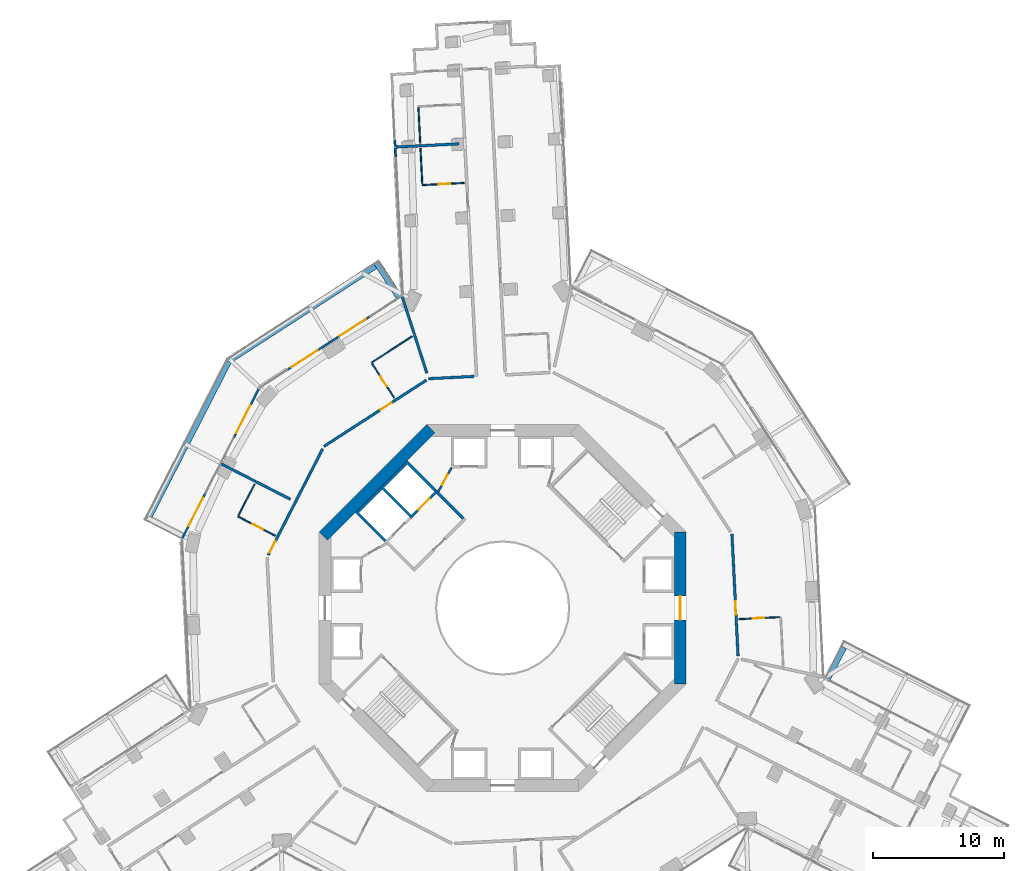
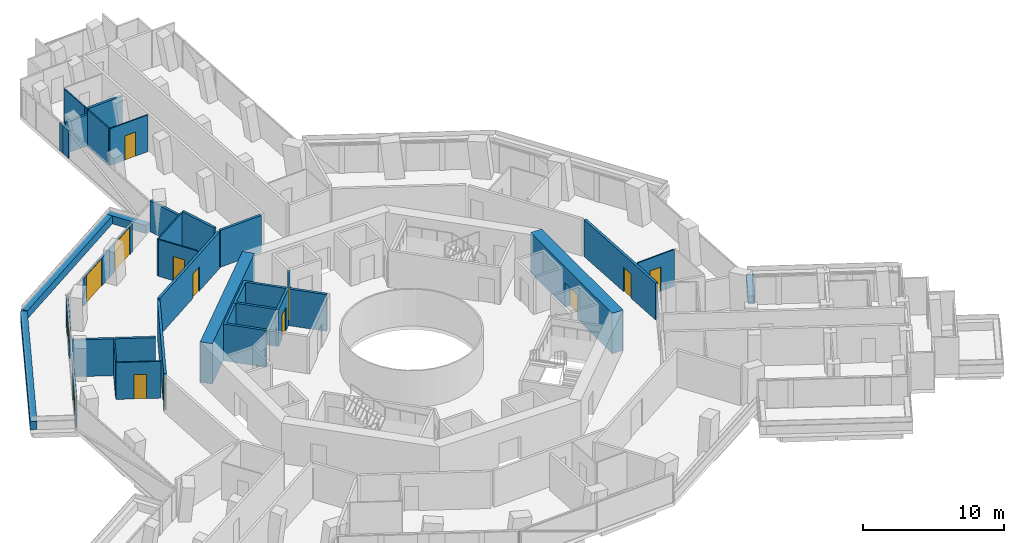
# One storey, part 20 of 25: 35 walls, 14 doors, 14 openings.
"""IFC4 building model written with IfcOpenShell, lengths in metres."""

from ifc_helpers import new_model, si_unit, direction, frame, frame_2d, origin, place, context, subcontext, project, spatial, polyline, rectangle, outline, extrude, material, layer, layer_set, type_object, element, fill, save


model = new_model("IFC4")

# Units and contexts
model_context = context("Model", 3, precision=1e-05, world=origin(), true_north=direction((0.0, 1.0)))
body_context = subcontext(model_context, "Body", "Model", "MODEL_VIEW")
ifc_project = project(units=[si_unit("LENGTHUNIT", "METRE"), si_unit("AREAUNIT", "SQUARE_METRE"), si_unit("VOLUMEUNIT", "CUBIC_METRE"), si_unit("PLANEANGLEUNIT", "RADIAN"), si_unit("MASSUNIT", "GRAM", prefix="KILO")], contexts=[model_context])

# Site, building, storey
site_placement = place(None, origin())
site = spatial("IfcSite", under=ifc_project, at=site_placement, CompositionType="ELEMENT")
building_placement = place(site_placement, origin())
building = spatial("IfcBuilding", under=site, at=building_placement, Name="Verdalira Terraces Hotel", CompositionType="ELEMENT")
storey_placement = place(building_placement, frame((0.0, 0.0, 46.0)))
storey = spatial("IfcBuildingStorey", under=building, at=storey_placement, Name="L09", CompositionType="ELEMENT", Elevation=46.0)

# Walls
ifc_material_1 = material(Name="Concrete C40", Category="concrete")
ifc_layer_1 = layer(ifc_material_1, 0.5)
ifc_layer_set_1 = layer_set([ifc_layer_1], Name="Balcony planter trough with tree")
wall_type_1 = type_object("IfcWallType", Name="Balcony planter trough with tree", PredefinedType="SOLIDWALL", material=ifc_layer_set_1)
wall_1_placement = place(storey_placement, frame((-7.921143, 23.766113, 0.0), z_axis=(0.0, 0.0, 1.0), x_axis=(-0.542827196, 0.839844411, 0.0)))
element("IfcWall", 1, at=wall_1_placement, inside=storey, type_object=wall_type_1, Name="Balcony planter", PredefinedType="SOLIDWALL", context=body_context, shape_type="SweptSolid", body=[
    extrude(rectangle(XDim=3.199219, YDim=0.5, at=frame_2d((1.599609, 0.0))), origin(), (0.0, 0.0, 1.0), 0.699951),
])
wall_2_placement = place(storey_placement, frame((-9.731934, 26.107178, 0.0), z_axis=(0.0, 0.0, 1.0), x_axis=(-0.839803878, -0.542889903, 0.0)))
element("IfcWall", 2, at=wall_2_placement, inside=storey, type_object=wall_type_1, Name="Balcony planter", PredefinedType="SOLIDWALL", context=body_context, shape_type="SweptSolid", body=[
    extrude(rectangle(XDim=13.223633, YDim=0.5, at=frame_2d((6.611816, 0.0))), origin(), (0.0, 0.0, 1.0), 0.699951),
])
wall_3_placement = place(storey_placement, frame((-20.924072, 18.832275, 0.0), z_axis=(0.0, 0.0, 1.0), x_axis=(-0.45585284, -0.89005516, 0.0)))
element("IfcWall", 3, at=wall_3_placement, inside=storey, type_object=wall_type_1, Name="Balcony planter", PredefinedType="SOLIDWALL", context=body_context, shape_type="SweptSolid", body=[
    extrude(rectangle(XDim=13.723389, YDim=0.5, at=frame_2d((6.861816, 0.0))), origin(), (0.0, 0.0, 1.0), 0.699951),
])
wall_4_placement = place(storey_placement, frame((26.007568, -2.983887, 0.0), z_axis=(0.0, 0.0, 1.0), x_axis=(-0.455840912, -0.890061269, 0.0)))
element("IfcWall", 4, at=wall_4_placement, inside=storey, type_object=wall_type_1, Name="Balcony planter", PredefinedType="SOLIDWALL", context=body_context, shape_type="SweptSolid", body=[
    extrude(rectangle(XDim=2.69873, YDim=0.5, at=frame_2d((1.349365, 0.0))), origin(), (0.0, 0.0, 1.0), 0.699951),
])
ifc_material_2 = material(Name="Moisture-resistant gypsum board partition")
ifc_layer_2 = layer(ifc_material_2, 0.10009765625)
ifc_layer_set_2 = layer_set([ifc_layer_2], Name="Bathroom partition 100 mm")
wall_type_2 = type_object("IfcWallType", Name="Bathroom partition 100 mm", PredefinedType="PARTITIONING", material=ifc_layer_set_2)
wall_5_placement = place(storey_placement, frame((-20.154053, 7.063965, 0.0), z_axis=(0.0, 0.0, 1.0), x_axis=(0.455909064, 0.890026362, 0.0)))
element("IfcWall", 5, at=wall_5_placement, inside=storey, type_object=wall_type_2, Name="Bathroom partition", PredefinedType="PARTITIONING", context=body_context, shape_type="SweptSolid", body=[
    extrude(rectangle(XDim=2.699951, YDim=0.100098, at=frame_2d((1.350098, 0.0))), origin(), (0.0, 0.0, 1.0), 3.189941),
])

# Wall, opening, door
wall_6_placement = place(storey_placement, frame((-20.199707, 6.975098, 0.0), z_axis=(0.0, 0.0, 1.0), x_axis=(0.89003657, -0.455889135, 0.0)))
wall_6 = element("IfcWall", 6, at=wall_6_placement, inside=storey, type_object=wall_type_2, Name="Bathroom partition", PredefinedType="PARTITIONING", context=body_context, shape_type="SweptSolid", body=[
    extrude(rectangle(XDim=3.200195, YDim=0.100098, at=frame_2d((1.600098, 0.0))), origin(), (0.0, 0.0, 1.0), 3.189941),
])
opening_1_placement = place(wall_6_placement, frame((1.25, 0.0, 0.0)))
opening_1 = element("IfcOpeningElement", 7, at=opening_1_placement, cuts=wall_6, Name="Opening L09-111", PredefinedType="OPENING", context=body_context, shape_type="SweptSolid", body=[
    extrude(rectangle(XDim=0.899902, YDim=2.100098, at=frame_2d((0.449951, 1.050049))), frame((0.0, 0.060059, 0.0), z_axis=(0.0, -1.0, 0.0), x_axis=(1.0, 0.0, 0.0)), (0.0, 0.0, 1.0), 0.120117),
])
ifc_material_3 = material(Name="Timber door", Category="wood")
door_type_1 = type_object("IfcDoorType", Name="Bathroom door 900 x 2100", OperationType="NOTDEFINED", PredefinedType="DOOR", material=ifc_material_3)
door_1_placement = place(opening_1_placement, origin())
door_1 = element("IfcDoor", 8, at=door_1_placement, inside=storey, type_object=door_type_1, Name="Bathroom door 0905", OperationType="SINGLE_SWING_LEFT", OverallHeight=2.10009765625, OverallWidth=0.89990234375, PredefinedType="DOOR", context=body_context, shape_type="SweptSolid", body=[
    extrude(rectangle(XDim=0.899902, YDim=2.100098, at=frame_2d((0.449951, 1.050049))), frame((0.0, 0.024902, 0.0), z_axis=(0.0, -1.0, 0.0), x_axis=(1.0, 0.0, 0.0)), (0.0, 0.0, 1.0), 0.050049),
])
fill(opening_1, door_1)

wall_7_placement = place(storey_placement, frame((-9.955566, 18.639404, 0.0), z_axis=(0.0, 0.0, 1.0), x_axis=(0.542885478, -0.839806739, 0.0)))
wall_7 = element("IfcWall", 9, at=wall_7_placement, inside=storey, type_object=wall_type_2, Name="Bathroom partition", PredefinedType="PARTITIONING", context=body_context, shape_type="SweptSolid", body=[
    extrude(rectangle(XDim=3.099854, YDim=0.100098, at=frame_2d((1.549805, 0.0))), origin(), (0.0, 0.0, 1.0), 3.189941),
])
opening_2_placement = place(wall_7_placement, frame((1.149902, 0.0, 0.0)))
opening_2 = element("IfcOpeningElement", 10, at=opening_2_placement, cuts=wall_7, Name="Opening L09-109", PredefinedType="OPENING", context=body_context, shape_type="SweptSolid", body=[
    extrude(rectangle(XDim=0.899902, YDim=2.100098, at=frame_2d((0.449951, 1.050049))), frame((0.0, 0.060059, 0.0), z_axis=(0.0, -1.0, 0.0), x_axis=(1.0, 0.0, 0.0)), (0.0, 0.0, 1.0), 0.120117),
])
door_2_placement = place(opening_2_placement, origin())
door_2 = element("IfcDoor", 11, at=door_2_placement, inside=storey, type_object=door_type_1, Name="Bathroom door 0904", OperationType="SINGLE_SWING_LEFT", OverallHeight=2.10009765625, OverallWidth=0.89990234375, PredefinedType="DOOR", context=body_context, shape_type="SweptSolid", body=[
    extrude(rectangle(XDim=0.899902, YDim=2.100098, at=frame_2d((0.449951, 1.050049))), frame((0.0, 0.024902, 0.0), z_axis=(0.0, -1.0, 0.0), x_axis=(1.0, 0.0, 0.0)), (0.0, 0.0, 1.0), 0.050049),
])
fill(opening_2, door_2)

# Walls
wall_8_placement = place(storey_placement, frame((-10.009766, 18.723389, 0.0), z_axis=(0.0, 0.0, 1.0), x_axis=(0.839785832, 0.542917817, 0.0)))
element("IfcWall", 12, at=wall_8_placement, inside=storey, type_object=wall_type_2, Name="Bathroom partition", PredefinedType="PARTITIONING", context=body_context, shape_type="SweptSolid", body=[
    extrude(rectangle(XDim=3.704102, YDim=0.100098, at=frame_2d((1.852051, 0.0))), origin(), (0.0, 0.0, 1.0), 3.189941),
])
for number, where, z_axis, x_axis, name in (
    (13, (-6.425537, 38.163818, 0.0), (0.0, 0.0, 1.0), (0.050185663, -0.998739906, 0.0), "Bathroom partition"),
    (14, (-6.134277, 32.371094, 0.0), (0.0, 0.0, 1.0), (-0.050275859, 0.998735369, 0.0), "Bathroom partition"),
):
    element("IfcWall", number, at=place(storey_placement, frame(where, z_axis=z_axis, x_axis=x_axis)), inside=storey, type_object=wall_type_2, Name=name, PredefinedType="PARTITIONING", context=body_context, shape_type="SweptSolid", body=[
        extrude(rectangle(XDim=2.699951, YDim=0.100098, at=frame_2d((1.350098, 0.0))), origin(), (0.0, 0.0, 1.0), 3.189941),
    ])

# Wall, opening, door
wall_9_placement = place(storey_placement, frame((-6.12915, 32.27124, 0.0), z_axis=(0.0, 0.0, 1.0), x_axis=(0.998739177, 0.050200166, 0.0)))
wall_9 = element("IfcWall", 15, at=wall_9_placement, inside=storey, type_object=wall_type_2, Name="Bathroom partition", PredefinedType="PARTITIONING", context=body_context, shape_type="SweptSolid", body=[
    extrude(rectangle(XDim=3.200195, YDim=0.100098, at=frame_2d((1.600098, 0.0))), origin(), (0.0, 0.0, 1.0), 3.189941),
])
opening_3_placement = place(wall_9_placement, frame((1.25, 0.0, 0.0)))
opening_3 = element("IfcOpeningElement", 16, at=opening_3_placement, cuts=wall_9, Name="Opening L09-107", PredefinedType="OPENING", context=body_context, shape_type="SweptSolid", body=[
    extrude(rectangle(XDim=0.899902, YDim=2.100098, at=frame_2d((0.449951, 1.050049))), frame((0.0, 0.060059, 0.0), z_axis=(0.0, -1.0, 0.0), x_axis=(1.0, 0.0, 0.0)), (0.0, 0.0, 1.0), 0.120117),
])
door_3_placement = place(opening_3_placement, origin())
door_3 = element("IfcDoor", 17, at=door_3_placement, inside=storey, type_object=door_type_1, Name="Bathroom door 0903", OperationType="SINGLE_SWING_LEFT", OverallHeight=2.10009765625, OverallWidth=0.89990234375, PredefinedType="DOOR", context=body_context, shape_type="SweptSolid", body=[
    extrude(rectangle(XDim=0.899902, YDim=2.100098, at=frame_2d((0.449951, 1.050049))), frame((0.0, 0.024902, 0.0), z_axis=(0.0, -1.0, 0.0), x_axis=(1.0, 0.0, 0.0)), (0.0, 0.0, 1.0), 0.050049),
])
fill(opening_3, door_3)

wall_10_placement = place(storey_placement, frame((21.120117, -0.697998, 0.0), z_axis=(0.0, 0.0, 1.0), x_axis=(-0.998736973, -0.050243983, 0.0)))
wall_10 = element("IfcWall", 18, at=wall_10_placement, inside=storey, type_object=wall_type_2, Name="Bathroom partition", PredefinedType="PARTITIONING", context=body_context, shape_type="SweptSolid", body=[
    extrude(rectangle(XDim=3.100098, YDim=0.100098, at=frame_2d((1.550049, 0.0))), origin(), (0.0, 0.0, 1.0), 3.189941),
])
opening_4_placement = place(wall_10_placement, frame((1.149902, 0.0, 0.0)))
opening_4 = element("IfcOpeningElement", 19, at=opening_4_placement, cuts=wall_10, Name="Opening L09-130", PredefinedType="OPENING", context=body_context, shape_type="SweptSolid", body=[
    extrude(rectangle(XDim=0.899902, YDim=2.100098, at=frame_2d((0.449951, 1.050049))), frame((0.0, 0.060059, 0.0), z_axis=(0.0, -1.0, 0.0), x_axis=(1.0, 0.0, 0.0)), (0.0, 0.0, 1.0), 0.120117),
])
door_4_placement = place(opening_4_placement, origin())
door_4 = element("IfcDoor", 20, at=door_4_placement, inside=storey, type_object=door_type_1, Name="Bathroom door 0914", OperationType="SINGLE_SWING_LEFT", OverallHeight=2.10009765625, OverallWidth=0.89990234375, PredefinedType="DOOR", context=body_context, shape_type="SweptSolid", body=[
    extrude(rectangle(XDim=0.899902, YDim=2.100098, at=frame_2d((0.449951, 1.050049))), frame((0.0, 0.024902, 0.0), z_axis=(0.0, -1.0, 0.0), x_axis=(1.0, 0.0, 0.0)), (0.0, 0.0, 1.0), 0.050049),
])
fill(opening_4, door_4)

# Wall
ifc_material_4 = material(Name="Concrete C50", Category="concrete")
ifc_layer_3 = layer(ifc_material_4, 0.199951171875)
ifc_layer_set_3 = layer_set([ifc_layer_3], Name="Core RC wall 200 C50")
wall_type_3 = type_object("IfcWallType", Name="Core RC wall 200 C50", PredefinedType="SOLIDWALL", material=ifc_layer_set_3)
wall_11_placement = place(storey_placement, origin())
element("IfcWall", 21, at=wall_11_placement, inside=storey, type_object=wall_type_3, Name="L09 shaft wall F1", PredefinedType="SOLIDWALL", context=body_context, shape_type="SweptSolid", body=[
    extrude(outline(polyline([(-9.33374, 9.192383), (-7.283203, 11.24292), (-5.055908, 9.015625), (-5.197266, 8.874268), (-7.283203, 10.960205), (-9.051025, 9.192383), (-6.965088, 7.106445), (-7.106445, 6.965088), (-9.33374, 9.192383)])), origin(), (0.0, 0.0, 1.0), 3.189941),
])

# Wall, opening, door
wall_12_placement = place(storey_placement, frame((-4.985107, 8.944824, 0.0), z_axis=(0.0, 0.0, 1.0), x_axis=(-0.707106781, -0.707106781, 0.0)))
wall_12 = element("IfcWall", 22, at=wall_12_placement, inside=storey, type_object=wall_type_3, Name="L09 shaft front wall F1", PredefinedType="SOLIDWALL", context=body_context, shape_type="SweptSolid", body=[
    extrude(rectangle(XDim=2.899902, YDim=0.199951, at=frame_2d((1.449951, 0.0))), origin(), (0.0, 0.0, 1.0), 3.189941),
])
opening_5_placement = place(wall_12_placement, frame((0.850098, 0.0, 0.0)))
opening_5 = element("IfcOpeningElement", 23, at=opening_5_placement, cuts=wall_12, Name="Opening LD-L09-807", PredefinedType="OPENING", context=body_context, shape_type="SweptSolid", body=[
    extrude(rectangle(XDim=1.199951, YDim=2.100098, at=frame_2d((0.600098, 1.050049))), frame((0.0, 0.109863, 0.0), z_axis=(0.0, -1.0, 0.0), x_axis=(1.0, 0.0, 0.0)), (0.0, 0.0, 1.0), 0.219971),
])
ifc_material_5 = material(Name="Stainless steel", Category="steel")
door_type_2 = type_object("IfcDoorType", Name="Landing door 1200 x 2100", OperationType="NOTDEFINED", PredefinedType="DOOR", material=ifc_material_5)
door_5_placement = place(opening_5_placement, origin())
door_5 = element("IfcDoor", 24, at=door_5_placement, inside=storey, type_object=door_type_2, Name="Lift landing door LF11 L09", OperationType="DOUBLE_DOOR_SLIDING", OverallHeight=2.10009765625, OverallWidth=1.199951171875, PredefinedType="DOOR", context=body_context, shape_type="SweptSolid", body=[
    extrude(rectangle(XDim=1.199951, YDim=2.100098, at=frame_2d((0.600098, 1.050049))), frame((0.0, 0.024902, 0.0), z_axis=(0.0, -1.0, 0.0), x_axis=(1.0, 0.0, 0.0)), (0.0, 0.0, 1.0), 0.050049),
])
fill(opening_5, door_5)

# Walls
wall_13_placement = place(storey_placement, origin())
element("IfcWall", 25, at=wall_13_placement, inside=storey, type_object=wall_type_3, Name="L09 shaft wall F2", PredefinedType="SOLIDWALL", context=body_context, shape_type="SweptSolid", body=[
    extrude(outline(polyline([(-11.24292, 7.283203), (-9.33374, 9.192383), (-9.192383, 9.051025), (-10.960205, 7.283203), (-8.874268, 5.197266), (-9.015625, 5.055908), (-11.24292, 7.283203)])), origin(), (0.0, 0.0, 1.0), 3.189941),
])
wall_14_placement = place(storey_placement, frame((-3.005127, 6.823486, 0.0), z_axis=(0.0, 0.0, 1.0), x_axis=(-0.707106781, 0.707106781, 0.0)))
element("IfcWall", 26, at=wall_14_placement, inside=storey, type_object=wall_type_3, Name="L09 fire lobby wall", PredefinedType="SOLIDWALL", context=body_context, shape_type="SweptSolid", body=[
    extrude(rectangle(XDim=2.800049, YDim=0.199951, at=frame_2d((1.399902, 0.0))), origin(), (0.0, 0.0, 1.0), 3.189941),
])

# Wall, opening, door
ifc_material_6 = material(Name="Gypsum board partition")
ifc_layer_4 = layer(ifc_material_6, 0.14990234375)
ifc_layer_set_4 = layer_set([ifc_layer_4], Name="Core partition 150 mm")
wall_type_4 = type_object("IfcWallType", Name="Core partition 150 mm", PredefinedType="PARTITIONING", material=ifc_layer_set_4)
wall_15_placement = place(storey_placement, frame((-3.899902, 10.699951, 0.0), z_axis=(0.0, 0.0, 1.0), x_axis=(-0.485692555, -0.874129705, 0.0)))
wall_15 = element("IfcWall", 27, at=wall_15_placement, inside=storey, type_object=wall_type_4, Name="Room partition L09", PredefinedType="PARTITIONING", context=body_context, shape_type="SweptSolid", body=[
    extrude(rectangle(XDim=2.088623, YDim=0.149902, at=frame_2d((1.044434, 0.0))), origin(), (0.0, 0.0, 1.0), 3.189941),
])
opening_6_placement = place(wall_15_placement, frame((0.594238, 0.0, 0.0)))
opening_6 = element("IfcOpeningElement", 28, at=opening_6_placement, cuts=wall_15, Name="Opening L09-821", PredefinedType="OPENING", context=body_context, shape_type="SweptSolid", body=[
    extrude(rectangle(XDim=0.899902, YDim=2.100098, at=frame_2d((0.449951, 1.050049))), frame((0.0, 0.084961, 0.0), z_axis=(0.0, -1.0, 0.0), x_axis=(1.0, 0.0, 0.0)), (0.0, 0.0, 1.0), 0.169922),
])
ifc_material_7 = material(Name="Steel fire door", Category="steel")
door_type_3 = type_object("IfcDoorType", Name="Core room door 900 x 2100", OperationType="NOTDEFINED", PredefinedType="DOOR", material=ifc_material_7)
door_6_placement = place(opening_6_placement, origin())
door_6 = element("IfcDoor", 29, at=door_6_placement, inside=storey, type_object=door_type_3, Name="Door L09 room2", OperationType="SINGLE_SWING_LEFT", OverallHeight=2.10009765625, OverallWidth=0.89990234375, PredefinedType="DOOR", context=body_context, shape_type="SweptSolid", body=[
    extrude(rectangle(XDim=0.899902, YDim=2.100098, at=frame_2d((0.449951, 1.050049))), frame((0.0, 0.024902, 0.0), z_axis=(0.0, -1.0, 0.0), x_axis=(1.0, 0.0, 0.0)), (0.0, 0.0, 1.0), 0.050049),
])
fill(opening_6, door_6)

ifc_material_8 = material(Name="Concrete C70", Category="concrete")
ifc_layer_5 = layer(ifc_material_8, 0.89990234375)
ifc_layer_set_5 = layer_set([ifc_layer_5], Name="Core wall 900 C70")
wall_type_5 = type_object("IfcWallType", Name="Core wall 900 C70", PredefinedType="SHEAR", material=ifc_layer_set_5)
wall_16_placement = place(storey_placement, frame((13.550049, -5.799072, 0.0), z_axis=(0.0, 0.0, 1.0), x_axis=(0.0, 1.0, 0.0)))
wall_16 = element("IfcWall", 30, at=wall_16_placement, inside=storey, type_object=wall_type_5, Name="Core wall CW-L09-1", PredefinedType="SHEAR", context=body_context, shape_type="SweptSolid", body=[
    extrude(rectangle(XDim=11.598145, YDim=0.899902, at=frame_2d((5.799072, 0.0))), origin(), (0.0, 0.0, 1.0), 3.5),
])
opening_7_placement = place(wall_16_placement, frame((4.898926, 0.0, 0.0)))
opening_7 = element("IfcOpeningElement", 31, at=opening_7_placement, cuts=wall_16, Name="Opening L09-812", PredefinedType="OPENING", context=body_context, shape_type="SweptSolid", body=[
    extrude(rectangle(XDim=1.800049, YDim=2.100098, at=frame_2d((0.899902, 1.050049))), frame((0.0, 0.459961, 0.0), z_axis=(0.0, -1.0, 0.0), x_axis=(1.0, 0.0, 0.0)), (0.0, 0.0, 1.0), 0.919922),
])
ifc_material_9 = material(Name="Steel fire door", Category="steel")
door_type_4 = type_object("IfcDoorType", Name="Core entry door pair 1800 x 2100", OperationType="NOTDEFINED", PredefinedType="DOOR", material=ifc_material_9)
door_7_placement = place(opening_7_placement, origin())
door_7 = element("IfcDoor", 32, at=door_7_placement, inside=storey, type_object=door_type_4, Name="Core entry door L09 0", OperationType="DOUBLE_DOOR_SINGLE_SWING", OverallHeight=2.10009765625, OverallWidth=1.800048828125, PredefinedType="DOOR", context=body_context, shape_type="SweptSolid", body=[
    extrude(rectangle(XDim=1.800049, YDim=2.100098, at=frame_2d((0.899902, 1.050049))), frame((0.0, 0.024902, 0.0), z_axis=(0.0, -1.0, 0.0), x_axis=(1.0, 0.0, 0.0)), (0.0, 0.0, 1.0), 0.050049),
])
fill(opening_7, door_7)

# Walls
wall_17_placement = place(storey_placement, frame((-5.480713, 13.681885, 0.0), z_axis=(0.0, 0.0, 1.0), x_axis=(-0.707106781, -0.707106781, 0.0)))
element("IfcWall", 33, at=wall_17_placement, inside=storey, type_object=wall_type_5, Name="Core wall CW-L09-4", PredefinedType="SHEAR", context=body_context, shape_type="SweptSolid", body=[
    extrude(rectangle(XDim=11.598145, YDim=0.899902, at=frame_2d((5.799072, 0.0))), origin(), (0.0, 0.0, 1.0), 3.5),
])
ifc_material_10 = material(Name="Fire-rated gypsum board wall")
ifc_layer_6 = layer(ifc_material_10, 0.199951171875)
ifc_layer_set_6 = layer_set([ifc_layer_6], Name="Demising wall 200 mm")
wall_type_6 = type_object("IfcWallType", Name="Demising wall 200 mm", PredefinedType="SOLIDWALL", material=ifc_layer_set_6)
wall_18_placement = place(storey_placement, frame((-18.830322, 9.644287, 0.0), z_axis=(0.0, 0.0, 1.0), x_axis=(-0.890051549, 0.45585989, 0.0)))
element("IfcWall", 34, at=wall_18_placement, inside=storey, type_object=wall_type_6, Name="Demising wall", PredefinedType="SOLIDWALL", context=body_context, shape_type="SweptSolid", body=[
    extrude(rectangle(XDim=2.951904, YDim=0.199951, at=frame_2d((1.476074, 0.0))), origin(), (0.0, 0.0, 1.0), 3.189941),
])
wall_19_placement = place(storey_placement, frame((-16.204102, 8.299072, 0.0), z_axis=(0.0, 0.0, 1.0), x_axis=(-0.890030887, 0.45590023, 0.0)))
element("IfcWall", 35, at=wall_19_placement, inside=storey, type_object=wall_type_6, Name="Demising wall", PredefinedType="SOLIDWALL", context=body_context, shape_type="SweptSolid", body=[
    extrude(rectangle(XDim=2.904541, YDim=0.199951, at=frame_2d((1.452148, 0.0))), origin(), (0.0, 0.0, 1.0), 3.189941),
])
wall_20_placement = place(storey_placement, frame((-5.781982, 17.922607, 0.0), z_axis=(0.0, 0.0, 1.0), x_axis=(-0.306993499, 0.951711611, 0.0)))
element("IfcWall", 36, at=wall_20_placement, inside=storey, type_object=wall_type_6, Name="Demising wall", PredefinedType="SOLIDWALL", context=body_context, shape_type="SweptSolid", body=[
    extrude(rectangle(XDim=3.074463, YDim=0.199951, at=frame_2d((1.537109, 0.0))), origin(), (0.0, 0.0, 1.0), 3.189941),
])
wall_21_placement = place(storey_placement, frame((-3.330811, 35.415771, 0.0), z_axis=(0.0, 0.0, 1.0), x_axis=(-0.998739729, -0.050189173, 0.0)))
element("IfcWall", 37, at=wall_21_placement, inside=storey, type_object=wall_type_6, Name="Demising wall", PredefinedType="SOLIDWALL", context=body_context, shape_type="SweptSolid", body=[
    extrude(rectangle(XDim=2.952637, YDim=0.199951, at=frame_2d((1.476318, 0.0))), origin(), (0.0, 0.0, 1.0), 3.189941),
])
ifc_material_11 = material(Name="Fire-rated gypsum board wall")
ifc_layer_7 = layer(ifc_material_11, 0.199951171875)
ifc_layer_set_7 = layer_set([ifc_layer_7], Name="Demising wall 200 mm to beam soffit")
wall_type_7 = type_object("IfcWallType", Name="Demising wall 200 mm to beam soffit", PredefinedType="SOLIDWALL", material=ifc_layer_set_7)
wall_22_placement = place(storey_placement, frame((-6.73999, 20.892334, 0.0), z_axis=(0.0, 0.0, 1.0), x_axis=(-0.307019361, 0.951703269, 0.0)))
element("IfcWall", 38, at=wall_22_placement, inside=storey, type_object=wall_type_7, Name="Demising wall", PredefinedType="SOLIDWALL", context=body_context, shape_type="SweptSolid", body=[
    extrude(rectangle(XDim=3.011475, YDim=0.199951, at=frame_2d((1.505859, 0.0))), origin(), (0.0, 0.0, 1.0), 2.689941),
])
wall_23_placement = place(storey_placement, frame((-6.279785, 35.267578, 0.0), z_axis=(0.0, 0.0, 1.0), x_axis=(-0.998735501, -0.05027325, 0.0)))
element("IfcWall", 39, at=wall_23_placement, inside=storey, type_object=wall_type_7, Name="Demising wall", PredefinedType="SOLIDWALL", context=body_context, shape_type="SweptSolid", body=[
    extrude(rectangle(XDim=1.850342, YDim=0.199951, at=frame_2d((0.925293, 0.0))), origin(), (0.0, 0.0, 1.0), 2.689941),
])

# Wall, opening, door
ifc_material_12 = material(Name="Fire-rated gypsum board wall")
ifc_layer_8 = layer(ifc_material_12, 0.199951171875)
ifc_layer_set_8 = layer_set([ifc_layer_8], Name="Guest corridor wall 200 mm")
wall_type_8 = type_object("IfcWallType", Name="Guest corridor wall 200 mm", PredefinedType="SOLIDWALL", material=ifc_layer_set_8)
wall_24_placement = place(storey_placement, frame((-17.883545, 4.038574, 0.0), z_axis=(0.0, 0.0, 1.0), x_axis=(0.45584896, 0.890057147, 0.0)))
wall_24 = element("IfcWall", 40, at=wall_24_placement, inside=storey, type_object=wall_type_8, Name="Guest corridor wall", PredefinedType="SOLIDWALL", context=body_context, shape_type="SweptSolid", body=[
    extrude(rectangle(XDim=9.115479, YDim=0.199951, at=frame_2d((4.557617, 0.0))), origin(), (0.0, 0.0, 1.0), 3.189941),
])
opening_8_placement = place(wall_24_placement, frame((0.199951, 0.0, 0.0)))
opening_8 = element("IfcOpeningElement", 41, at=opening_8_placement, cuts=wall_24, Name="Opening L09-110", PredefinedType="OPENING", context=body_context, shape_type="SweptSolid", body=[
    extrude(rectangle(XDim=1.0, YDim=2.100098, at=frame_2d((0.5, 1.050049))), frame((0.0, 0.109863, 0.0), z_axis=(0.0, -1.0, 0.0), x_axis=(1.0, 0.0, 0.0)), (0.0, 0.0, 1.0), 0.219971),
])
ifc_material_13 = material(Name="Timber fire door", Category="wood")
door_type_5 = type_object("IfcDoorType", Name="Guest entry door 1000 x 2100", OperationType="NOTDEFINED", PredefinedType="DOOR", material=ifc_material_13)
door_8_placement = place(opening_8_placement, origin())
door_8 = element("IfcDoor", 42, at=door_8_placement, inside=storey, type_object=door_type_5, Name="Guest entry door 0905", OperationType="SINGLE_SWING_LEFT", OverallHeight=2.10009765625, OverallWidth=1.0, PredefinedType="DOOR", context=body_context, shape_type="SweptSolid", body=[
    extrude(rectangle(XDim=1.0, YDim=2.100098, at=frame_2d((0.5, 1.050049))), frame((0.0, 0.024902, 0.0), z_axis=(0.0, -1.0, 0.0), x_axis=(1.0, 0.0, 0.0)), (0.0, 0.0, 1.0), 0.050049),
])
fill(opening_8, door_8)

wall_25_placement = place(storey_placement, frame((-13.63623, 12.330811, 0.0), z_axis=(0.0, 0.0, 1.0), x_axis=(0.83981686, 0.54286982, 0.0)))
wall_25 = element("IfcWall", 43, at=wall_25_placement, inside=storey, type_object=wall_type_8, Name="Guest corridor wall", PredefinedType="SOLIDWALL", context=body_context, shape_type="SweptSolid", body=[
    extrude(rectangle(XDim=9.315918, YDim=0.199951, at=frame_2d((4.657959, 0.0))), origin(), (0.0, 0.0, 1.0), 3.189941),
])
opening_9_placement = place(wall_25_placement, frame((5.149902, 0.0, 0.0)))
opening_9 = element("IfcOpeningElement", 44, at=opening_9_placement, cuts=wall_25, Name="Opening L09-108", PredefinedType="OPENING", context=body_context, shape_type="SweptSolid", body=[
    extrude(rectangle(XDim=1.0, YDim=2.100098, at=frame_2d((0.5, 1.050049))), frame((0.0, 0.109863, 0.0), z_axis=(0.0, -1.0, 0.0), x_axis=(1.0, 0.0, 0.0)), (0.0, 0.0, 1.0), 0.219971),
])
door_9_placement = place(opening_9_placement, origin())
door_9 = element("IfcDoor", 45, at=door_9_placement, inside=storey, type_object=door_type_5, Name="Guest entry door 0904", OperationType="SINGLE_SWING_LEFT", OverallHeight=2.10009765625, OverallWidth=1.0, PredefinedType="DOOR", context=body_context, shape_type="SweptSolid", body=[
    extrude(rectangle(XDim=1.0, YDim=2.100098, at=frame_2d((0.5, 1.050049))), frame((0.0, 0.024902, 0.0), z_axis=(0.0, -1.0, 0.0), x_axis=(1.0, 0.0, 0.0)), (0.0, 0.0, 1.0), 0.050049),
])
fill(opening_9, door_9)

# Wall
wall_26_placement = place(storey_placement, frame((-2.190674, 17.670654, 0.0), z_axis=(0.0, 0.0, 1.0), x_axis=(-0.998735912, -0.050265072, 0.0)))
element("IfcWall", 46, at=wall_26_placement, inside=storey, type_object=wall_type_8, Name="Guest corridor wall", PredefinedType="SOLIDWALL", context=body_context, shape_type="SweptSolid", body=[
    extrude(rectangle(XDim=3.458252, YDim=0.199951, at=frame_2d((1.729004, 0.0))), origin(), (0.0, 0.0, 1.0), 3.189941),
])

# Wall, opening, door
wall_27_placement = place(storey_placement, frame((17.496826, 5.644043, 0.0), z_axis=(0.0, 0.0, 1.0), x_axis=(0.050236925, -0.998737328, 0.0)))
wall_27 = element("IfcWall", 47, at=wall_27_placement, inside=storey, type_object=wall_type_8, Name="Guest corridor wall", PredefinedType="SOLIDWALL", context=body_context, shape_type="SweptSolid", body=[
    extrude(rectangle(XDim=9.316162, YDim=0.199951, at=frame_2d((4.658203, 0.0))), origin(), (0.0, 0.0, 1.0), 3.189941),
])
opening_10_placement = place(wall_27_placement, frame((5.149902, 0.0, 0.0)))
opening_10 = element("IfcOpeningElement", 48, at=opening_10_placement, cuts=wall_27, Name="Opening L09-129", PredefinedType="OPENING", context=body_context, shape_type="SweptSolid", body=[
    extrude(rectangle(XDim=1.0, YDim=2.100098, at=frame_2d((0.5, 1.050049))), frame((0.0, 0.109863, 0.0), z_axis=(0.0, -1.0, 0.0), x_axis=(1.0, 0.0, 0.0)), (0.0, 0.0, 1.0), 0.219971),
])
door_10_placement = place(opening_10_placement, origin())
door_10 = element("IfcDoor", 49, at=door_10_placement, inside=storey, type_object=door_type_5, Name="Guest entry door 0914", OperationType="SINGLE_SWING_LEFT", OverallHeight=2.10009765625, OverallWidth=1.0, PredefinedType="DOOR", context=body_context, shape_type="SweptSolid", body=[
    extrude(rectangle(XDim=1.0, YDim=2.100098, at=frame_2d((0.5, 1.050049))), frame((0.0, 0.024902, 0.0), z_axis=(0.0, -1.0, 0.0), x_axis=(1.0, 0.0, 0.0)), (0.0, 0.0, 1.0), 0.050049),
])
fill(opening_10, door_10)

# Walls
ifc_material_14 = material(Name="Terracotta cladding", Category="masonry")
ifc_layer_9 = layer(ifc_material_14, 0.14990234375)
ifc_layer_set_9 = layer_set([ifc_layer_9], Name="Terracotta column pier 150")
wall_type_9 = type_object("IfcWallType", Name="Terracotta column pier 150", PredefinedType="SOLIDWALL", material=ifc_layer_set_9)
wall_28_placement = place(storey_placement, frame((-8.227539, 35.670166, 0.0), z_axis=(0.0, 0.0, 1.0), x_axis=(0.049885237, -0.998754956, 0.0)))
element("IfcWall", 50, at=wall_28_placement, inside=storey, type_object=wall_type_9, Name="Terracotta column pier", PredefinedType="SOLIDWALL", context=body_context, shape_type="SweptSolid", body=[
    extrude(rectangle(XDim=0.464844, YDim=0.149902, at=frame_2d((0.232422, 0.0))), origin(), (0.0, 0.0, 1.0), 2.425049),
])
wall_29_placement = place(storey_placement, frame((-8.200684, 35.135742, 0.0), z_axis=(0.0, 0.0, 1.0), x_axis=(0.050030725, -0.998747679, 0.0)))
element("IfcWall", 51, at=wall_29_placement, inside=storey, type_object=wall_type_9, Name="Terracotta column pier", PredefinedType="SOLIDWALL", context=body_context, shape_type="SweptSolid", body=[
    extrude(rectangle(XDim=0.653809, YDim=0.149902, at=frame_2d((0.326904, 0.0))), origin(), (0.0, 0.0, 1.0), 2.425049),
])

# Wall, opening, door
ifc_material_15 = material(Name="Terracotta cladding", Category="masonry")
ifc_layer_10 = layer(ifc_material_15, 0.14990234375)
ifc_layer_set_10 = layer_set([ifc_layer_10], Name="Terracotta door pier 150")
wall_type_10 = type_object("IfcWallType", Name="Terracotta door pier 150", PredefinedType="SOLIDWALL", material=ifc_layer_set_10)
wall_30_placement = place(storey_placement, frame((-10.105469, 22.263672, 0.0), z_axis=(0.0, 0.0, 1.0), x_axis=(-0.83980298, -0.542891291, 0.0)))
wall_30 = element("IfcWall", 52, at=wall_30_placement, inside=storey, type_object=wall_type_10, Name="Terracotta door pier", PredefinedType="SOLIDWALL", context=body_context, shape_type="SweptSolid", body=[
    extrude(rectangle(XDim=3.599854, YDim=0.149902, at=frame_2d((1.799805, 0.0))), origin(), (0.0, 0.0, 1.0), 2.425049),
])
opening_11_placement = place(wall_30_placement, frame((0.399902, 0.0, 0.0)))
opening_11 = element("IfcOpeningElement", 53, at=opening_11_placement, cuts=wall_30, Name="Opening L09-B01", PredefinedType="OPENING", context=body_context, shape_type="SweptSolid", body=[
    extrude(rectangle(XDim=2.399902, YDim=2.399902, at=frame_2d((1.199951, 1.199951))), frame((0.0, 0.084961, 0.0), z_axis=(0.0, -1.0, 0.0), x_axis=(1.0, 0.0, 0.0)), (0.0, 0.0, 1.0), 0.169922),
])
ifc_material_16 = material(Name="Clear glass", Category="glass")
door_type_6 = type_object("IfcDoorType", Name="Balcony sliding door 2400x2400", OperationType="NOTDEFINED", PredefinedType="DOOR", material=ifc_material_16)
door_11_placement = place(opening_11_placement, origin())
door_11 = element("IfcDoor", 54, at=door_11_placement, inside=storey, type_object=door_type_6, Name="Balcony sliding door", OperationType="SLIDING_TO_RIGHT", OverallHeight=2.39990234375, OverallWidth=2.39990234375, PredefinedType="DOOR", context=body_context, shape_type="SweptSolid", body=[
    extrude(rectangle(XDim=2.399902, YDim=2.399902, at=frame_2d((1.199951, 1.199951))), frame((0.0, 0.024902, 0.0), z_axis=(0.0, -1.0, 0.0), x_axis=(1.0, 0.0, 0.0)), (0.0, 0.0, 1.0), 0.050049),
])
fill(opening_11, door_11)

wall_31_placement = place(storey_placement, frame((-13.128662, 20.309326, 0.0), z_axis=(0.0, 0.0, 1.0), x_axis=(-0.839837981, -0.542837145, 0.0)))
wall_31 = element("IfcWall", 55, at=wall_31_placement, inside=storey, type_object=wall_type_10, Name="Terracotta door pier", PredefinedType="SOLIDWALL", context=body_context, shape_type="SweptSolid", body=[
    extrude(rectangle(XDim=3.960449, YDim=0.149902, at=frame_2d((1.980225, 0.0))), origin(), (0.0, 0.0, 1.0), 2.425049),
])
opening_12_placement = place(wall_31_placement, frame((1.1604, 0.0, 0.0)))
opening_12 = element("IfcOpeningElement", 56, at=opening_12_placement, cuts=wall_31, Name="Opening L09-B02", PredefinedType="OPENING", context=body_context, shape_type="SweptSolid", body=[
    extrude(rectangle(XDim=2.399902, YDim=2.399902, at=frame_2d((1.199951, 1.199951))), frame((0.0, 0.084961, 0.0), z_axis=(0.0, -1.0, 0.0), x_axis=(1.0, 0.0, 0.0)), (0.0, 0.0, 1.0), 0.169922),
])
door_12_placement = place(opening_12_placement, origin())
door_12 = element("IfcDoor", 57, at=door_12_placement, inside=storey, type_object=door_type_6, Name="Balcony sliding door", OperationType="SLIDING_TO_LEFT", OverallHeight=2.39990234375, OverallWidth=2.39990234375, PredefinedType="DOOR", context=body_context, shape_type="SweptSolid", body=[
    extrude(rectangle(XDim=2.399902, YDim=2.399902, at=frame_2d((1.199951, 1.199951))), frame((0.0, 0.024902, 0.0), z_axis=(0.0, -1.0, 0.0), x_axis=(1.0, 0.0, 0.0)), (0.0, 0.0, 1.0), 0.050049),
])
fill(opening_12, door_12)

wall_32_placement = place(storey_placement, frame((-18.607178, 16.720215, 0.0), z_axis=(0.0, 0.0, 1.0), x_axis=(-0.455821941, -0.890070985, 0.0)))
wall_32 = element("IfcWall", 58, at=wall_32_placement, inside=storey, type_object=wall_type_10, Name="Terracotta door pier", PredefinedType="SOLIDWALL", context=body_context, shape_type="SweptSolid", body=[
    extrude(rectangle(XDim=4.19873, YDim=0.149902, at=frame_2d((2.099365, 0.0))), origin(), (0.0, 0.0, 1.0), 2.425049),
])
opening_13_placement = place(wall_32_placement, frame((1.398682, 0.0, 0.0)))
opening_13 = element("IfcOpeningElement", 59, at=opening_13_placement, cuts=wall_32, Name="Opening L09-B03", PredefinedType="OPENING", context=body_context, shape_type="SweptSolid", body=[
    extrude(rectangle(XDim=2.399902, YDim=2.399902, at=frame_2d((1.199951, 1.199951))), frame((0.0, 0.084961, 0.0), z_axis=(0.0, -1.0, 0.0), x_axis=(1.0, 0.0, 0.0)), (0.0, 0.0, 1.0), 0.169922),
])
door_13_placement = place(opening_13_placement, origin())
door_13 = element("IfcDoor", 60, at=door_13_placement, inside=storey, type_object=door_type_6, Name="Balcony sliding door", OperationType="SLIDING_TO_LEFT", OverallHeight=2.39990234375, OverallWidth=2.39990234375, PredefinedType="DOOR", context=body_context, shape_type="SweptSolid", body=[
    extrude(rectangle(XDim=2.399902, YDim=2.399902, at=frame_2d((1.199951, 1.199951))), frame((0.0, 0.024902, 0.0), z_axis=(0.0, -1.0, 0.0), x_axis=(1.0, 0.0, 0.0)), (0.0, 0.0, 1.0), 0.050049),
])
fill(opening_13, door_13)

wall_33_placement = place(storey_placement, frame((-22.690674, 8.74707, 0.0), z_axis=(0.0, 0.0, 1.0), x_axis=(-0.455861135, -0.890050912, 0.0)))
wall_33 = element("IfcWall", 61, at=wall_33_placement, inside=storey, type_object=wall_type_10, Name="Terracotta door pier", PredefinedType="SOLIDWALL", context=body_context, shape_type="SweptSolid", body=[
    extrude(rectangle(XDim=3.841553, YDim=0.149902, at=frame_2d((1.920898, 0.0))), origin(), (0.0, 0.0, 1.0), 2.425049),
])
opening_14_placement = place(wall_33_placement, frame((0.399902, 0.0, 0.0)))
opening_14 = element("IfcOpeningElement", 62, at=opening_14_placement, cuts=wall_33, Name="Opening L09-B04", PredefinedType="OPENING", context=body_context, shape_type="SweptSolid", body=[
    extrude(rectangle(XDim=2.399902, YDim=2.399902, at=frame_2d((1.199951, 1.199951))), frame((0.0, 0.084961, 0.0), z_axis=(0.0, -1.0, 0.0), x_axis=(1.0, 0.0, 0.0)), (0.0, 0.0, 1.0), 0.169922),
])
door_14_placement = place(opening_14_placement, origin())
door_14 = element("IfcDoor", 63, at=door_14_placement, inside=storey, type_object=door_type_6, Name="Balcony sliding door", OperationType="SLIDING_TO_RIGHT", OverallHeight=2.39990234375, OverallWidth=2.39990234375, PredefinedType="DOOR", context=body_context, shape_type="SweptSolid", body=[
    extrude(rectangle(XDim=2.399902, YDim=2.399902, at=frame_2d((1.199951, 1.199951))), frame((0.0, 0.024902, 0.0), z_axis=(0.0, -1.0, 0.0), x_axis=(1.0, 0.0, 0.0)), (0.0, 0.0, 1.0), 0.050049),
])
fill(opening_14, door_14)

save(model, "model.ifc")
